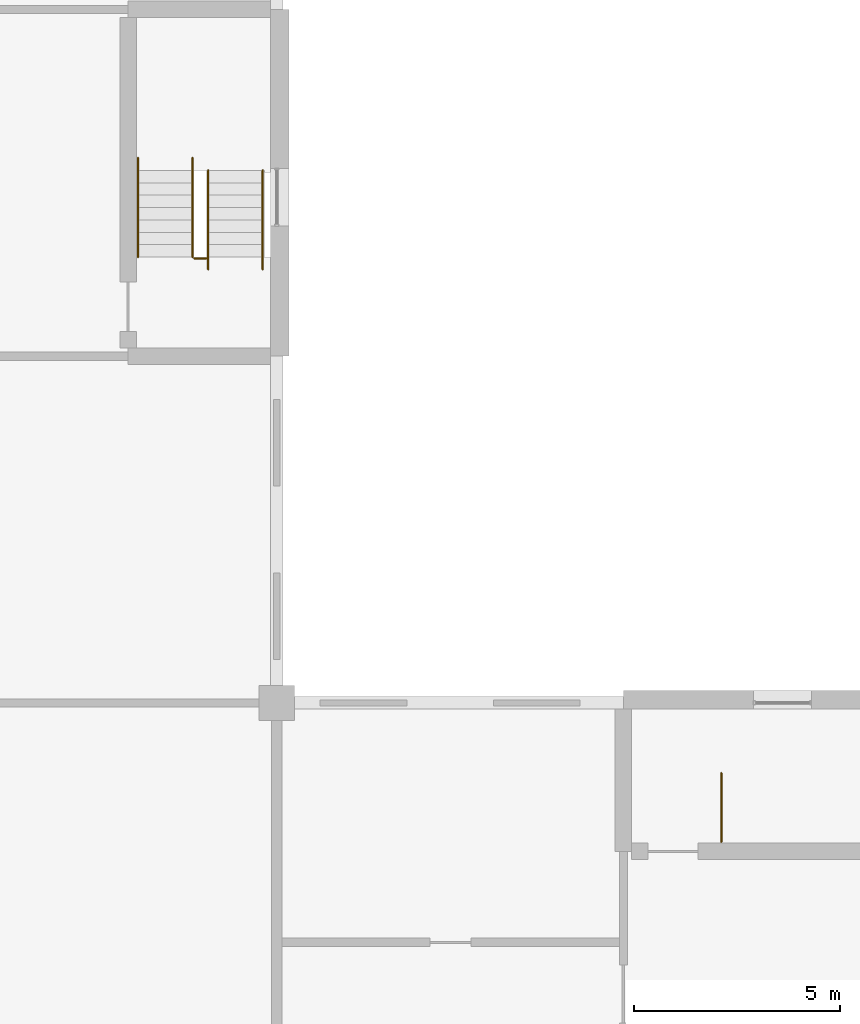
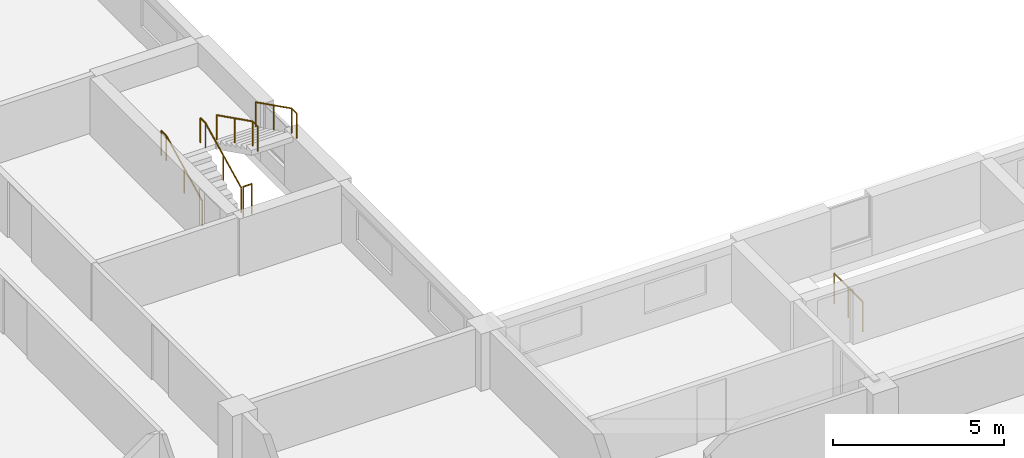
# One storey, part 44 of 48: 6 railings.
"""IFC4 building model written with IfcOpenShell, lengths in metres."""

from ifc_helpers import new_model, si_unit, direction, frame, origin, origin_2d, place, context, subcontext, project, spatial, circle, extrude, material, type_object, element, save


model = new_model("IFC4")

# Units and contexts
model_context = context("Model", 3, precision=1e-05, world=origin(), true_north=direction((0.0, 1.0)))
body_context = subcontext(model_context, "Body", "Model", "MODEL_VIEW")
ifc_project = project(units=[si_unit("LENGTHUNIT", "METRE"), si_unit("AREAUNIT", "SQUARE_METRE"), si_unit("VOLUMEUNIT", "CUBIC_METRE"), si_unit("PLANEANGLEUNIT", "RADIAN"), si_unit("MASSUNIT", "GRAM", prefix="KILO")], contexts=[model_context])

# Site, building, storey
site_placement = place(None, origin())
site = spatial("IfcSite", under=ifc_project, at=site_placement, CompositionType="ELEMENT")
building_placement = place(site_placement, origin())
building = spatial("IfcBuilding", under=site, at=building_placement, Name="Yavir Park General Hospital", CompositionType="ELEMENT")
storey_placement = place(building_placement, frame((0.0, 0.0, 12.89990234375)))
storey = spatial("IfcBuildingStorey", under=building, at=storey_placement, Name="I02", CompositionType="ELEMENT", Elevation=12.89990234375)

# Railings
ifc_material_1 = material(Name="Steel balustrade with infill rods", Category="steel")
railing_type_1 = type_object("IfcRailingType", Name="Stair guard, steel balustrade 1100 mm", PredefinedType="GUARDRAIL", material=ifc_material_1)
railing_1_placement = place(storey_placement, frame((35.969970703125, 30.22998046875, 0.0)))
element("IfcRailing", 1, at=railing_1_placement, inside=storey, type_object=railing_type_1, Name="Stair well guard PN1 I02", PredefinedType="GUARDRAIL", context=body_context, shape_type="SweptSolid", body=[
    extrude(circle(Radius=0.02392578125, at=origin_2d()), frame((0.0, 0.0, 1.076171875), z_axis=(0.0, 1.0, 0.0), x_axis=(-1.0, 0.0, 0.0)), (0.0, 0.0, 1.0), 1.669921875),
    extrude(circle(Radius=0.02099609375, at=origin_2d()), origin(), (0.0, 0.0, 1.0), 1.052001953125),
    extrude(circle(Radius=0.02099609375, at=origin_2d()), frame((0.0, 0.8349609375, 0.0)), (0.0, 0.0, 1.0), 1.052001953125),
    extrude(circle(Radius=0.02099609375, at=origin_2d()), frame((0.0, 1.669921875, 0.0)), (0.0, 0.0, 1.0), 1.052001953125),
])
railing_2_placement = place(storey_placement, frame((23.199951171875, 44.3701171875, 0.0)))
element("IfcRailing", 2, at=railing_2_placement, inside=storey, type_object=railing_type_1, Name="Stair well guard SW1 I02", PredefinedType="GUARDRAIL", context=body_context, shape_type="SweptSolid", body=[
    extrude(circle(Radius=0.02392578125, at=origin_2d()), frame((0.0, 0.0, 1.076171875), z_axis=(1.0, 0.0, 0.0), x_axis=(0.0, 1.0, 0.0)), (0.0, 0.0, 1.0), 0.300048828125),
    extrude(circle(Radius=0.02099609375, at=origin_2d()), origin(), (0.0, 0.0, 1.0), 1.052001953125),
    extrude(circle(Radius=0.02099609375, at=origin_2d()), frame((0.300048828125, 0.0, 0.0)), (0.0, 0.0, 1.0), 1.052001953125),
])
ifc_material_2 = material(Name="Stainless steel tube 48 mm", Category="steel")
railing_type_2 = type_object("IfcRailingType", Name="Stair handrail, steel tube, 900 mm above the nosings", PredefinedType="HANDRAIL", material=ifc_material_2)
for number, where, name in (
    (3, (21.840087890625, 44.39990234375, 0.150146484375), "Handrail SW1 I02 1"),
    (4, (23.159912109375, 44.39990234375, 0.150146484375), "Handrail SW1 I02 2"),
):
    element("IfcRailing", number, at=place(storey_placement, frame(where)), inside=storey, type_object=railing_type_2, Name=name, PredefinedType="HANDRAIL", context=body_context, shape_type="SweptSolid", body=[
        extrude(circle(Radius=0.02392578125, at=origin_2d()), frame((0.0, 0.0, 0.8759765625), z_axis=(0.0, 0.894427191, 0.4472135955), x_axis=(-1.0, 0.0, 0.0)), (0.0, 0.0, 1.0), 2.347900390625),
        extrude(circle(Radius=0.02392578125, at=origin_2d()), frame((0.0, 2.10009765625, 1.92578125), z_axis=(0.0, 1.0, 0.0), x_axis=(-1.0, 0.0, 0.0)), (0.0, 0.0, 1.0), 0.300048828125),
        extrude(circle(Radius=0.02099609375, at=origin_2d()), origin(), (0.0, 0.0, 1.0), 0.851806640625),
        extrude(circle(Radius=0.02099609375, at=origin_2d()), frame((0.0, 1.050048828125, 0.52490234375)), (0.0, 0.0, 1.0), 0.851806640625),
        extrude(circle(Radius=0.02099609375, at=origin_2d()), frame((0.0, 2.10009765625, 1.050048828125)), (0.0, 0.0, 1.0), 0.851806640625),
        extrude(circle(Radius=0.02099609375, at=origin_2d()), frame((0.0, 2.400146484375, 1.050048828125)), (0.0, 0.0, 1.0), 0.851806640625),
    ])
for number, where, name in (
    (5, (24.860107421875, 46.5, 1.35009765625), "Handrail SW1 I02 3"),
    (6, (23.5400390625, 46.5, 1.35009765625), "Handrail SW1 I02 4"),
):
    element("IfcRailing", number, at=place(storey_placement, frame(where)), inside=storey, type_object=railing_type_2, Name=name, PredefinedType="HANDRAIL", context=body_context, shape_type="SweptSolid", body=[
        extrude(circle(Radius=0.02392578125, at=origin_2d()), frame((0.0, 0.0, 0.8759765625), z_axis=(0.0, -0.894427191, 0.4472135955), x_axis=(1.0, 0.0, 0.0)), (0.0, 0.0, 1.0), 2.347900390625),
        extrude(circle(Radius=0.02392578125, at=origin_2d()), frame((0.0, -2.10009765625, 1.92578125), z_axis=(0.0, -1.0, 0.0), x_axis=(1.0, 0.0, 0.0)), (0.0, 0.0, 1.0), 0.2998046875),
        extrude(circle(Radius=0.02099609375, at=origin_2d()), origin(), (0.0, 0.0, 1.0), 0.851806640625),
        extrude(circle(Radius=0.02099609375, at=origin_2d()), frame((0.0, -1.050048828125, 0.52490234375)), (0.0, 0.0, 1.0), 0.851806640625),
        extrude(circle(Radius=0.02099609375, at=origin_2d()), frame((0.0, -2.10009765625, 1.050048828125)), (0.0, 0.0, 1.0), 0.851806640625),
        extrude(circle(Radius=0.02099609375, at=origin_2d()), frame((0.0, -2.39990234375, 1.050048828125)), (0.0, 0.0, 1.0), 0.851806640625),
    ])

save(model, "model.ifc")
